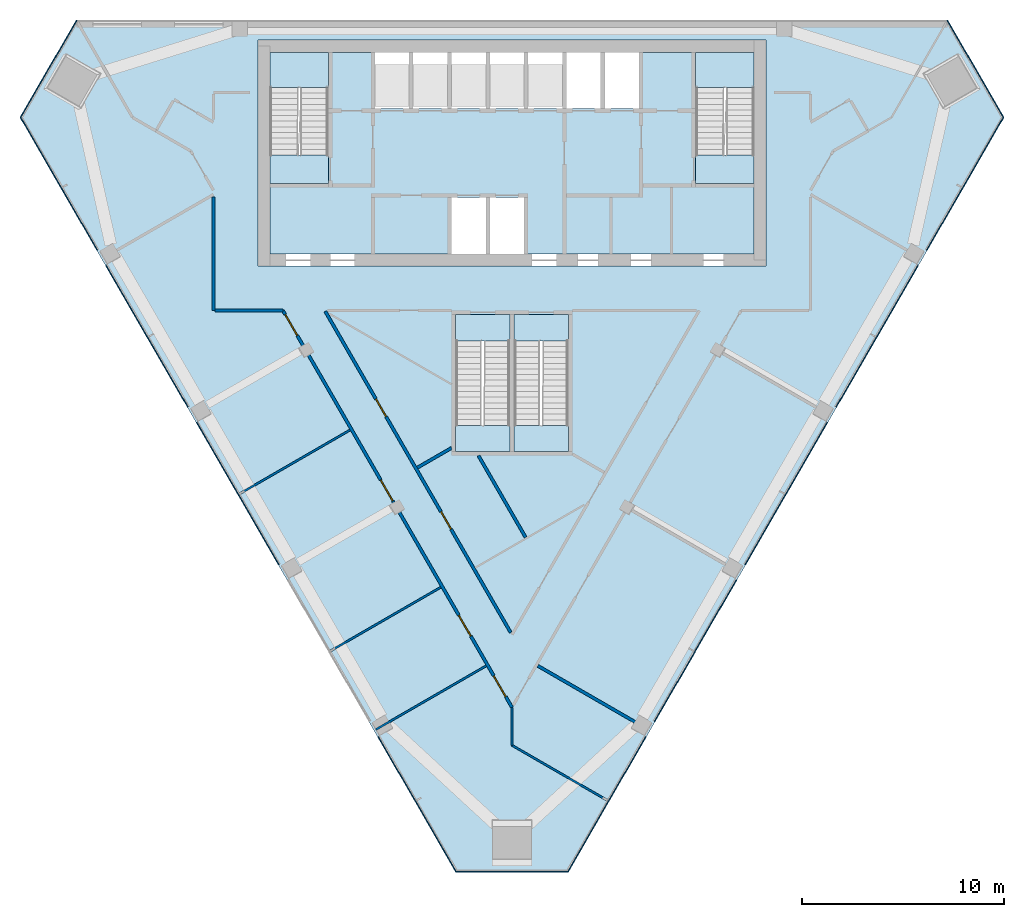
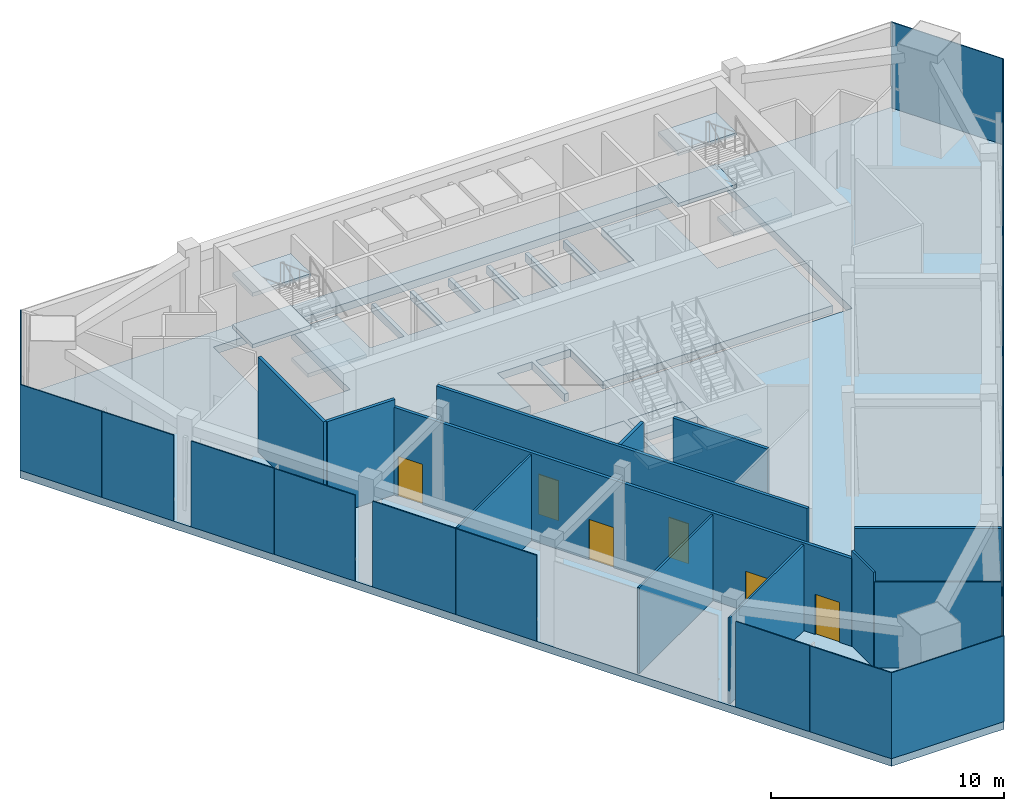
# One storey, part 5 of 10: 21 plates, 12 slabs, 12 walls, 6 doors, 6 openings, 9 elements without a shape of their own.
"""IFC4 building model written with IfcOpenShell, lengths in metres."""

from ifc_helpers import new_model, si_unit, direction, frame, frame_2d, origin, origin_2d, place, context, subcontext, project, spatial, polyline, rectangle, outline, extrude, material, layer, layer_set, type_object, element, fill, aggregate, save


model = new_model("IFC4")

# Units and contexts
model_context = context("Model", 3, precision=1e-05, world=origin(), true_north=direction((0.0, 1.0)))
body_context = subcontext(model_context, "Body", "Model", "MODEL_VIEW")
ifc_project = project(units=[si_unit("LENGTHUNIT", "METRE"), si_unit("AREAUNIT", "SQUARE_METRE"), si_unit("VOLUMEUNIT", "CUBIC_METRE"), si_unit("PLANEANGLEUNIT", "RADIAN"), si_unit("MASSUNIT", "GRAM", prefix="KILO")], contexts=[model_context])

# Site, building, storey
site_placement = place(None, origin())
site = spatial("IfcSite", under=ifc_project, at=site_placement, CompositionType="ELEMENT")
building_placement = place(site_placement, origin())
building = spatial("IfcBuilding", under=site, at=building_placement, Name="Altiplano Prism Tower", CompositionType="ELEMENT")
storey_placement = place(building_placement, frame((0.0, 0.0, 233.800048828125)))
storey = spatial("IfcBuildingStorey", under=building, at=storey_placement, Name="L60", CompositionType="ELEMENT", Elevation=233.800048828125)

# Curtain wall, plate
ifc_material_1 = material(Name="Aluminium and glass", Category="aluminium")
ifc_layer_1 = layer(ifc_material_1, 0.360107421875)
ifc_layer_set_1 = layer_set([ifc_layer_1], Name="Aluminium and glass")
curtain_wall_type = type_object("IfcCurtainWallType", Name="CW3 sky-lobby unitised glazing", PredefinedType="NOTDEFINED", material=ifc_layer_set_1)
curtain_wall_1_placement = place(storey_placement, origin())
curtain_wall_1 = element("IfcCurtainWall", 1, at=curtain_wall_1_placement, inside=storey, type_object=curtain_wall_type, Name="CW3 curtain wall north-west chamfer L60", PredefinedType="NOTDEFINED")
ifc_material_2 = material(Name="Clear glass", Category="glass")
ifc_layer_2 = layer(ifc_material_2, 0.050048828125)
ifc_layer_set_2 = layer_set([ifc_layer_2], Name="Clear glass")
plate_type = type_object("IfcPlateType", Name="CW3 insulated glass unit 50", PredefinedType="CURTAIN_PANEL", material=ifc_layer_set_2)
plate_1_placement = place(storey_placement, frame((62.0224609375, 102.572021484375, 0.0), z_axis=(0.0, 0.0, 1.0), x_axis=(-0.499999864237, -0.866025482167, 0.0)))
plate_1 = element("IfcPlate", 2, at=plate_1_placement, type_object=plate_type, Name="CW3 panel", PredefinedType="CURTAIN_PANEL", context=body_context, shape_type="SweptSolid", body=[
    extrude(rectangle(XDim=5.568603515625, YDim=0.050048828125, at=origin_2d()), origin(), (0.0, 0.0, 1.0), 4.5),
])
aggregate(curtain_wall_1, [plate_1])

# Curtain wall, plates
curtain_wall_2_placement = place(storey_placement, origin())
curtain_wall_2 = element("IfcCurtainWall", 3, at=curtain_wall_2_placement, inside=storey, type_object=curtain_wall_type, Name="CW3 curtain wall south-west face L60", PredefinedType="NOTDEFINED")
plate_2_placement = place(storey_placement, frame((61.640869140625, 98.4267578125, 0.0), z_axis=(0.0, 0.0, 1.0), x_axis=(0.49999999013, -0.866025409483, 0.0)))
plate_2 = element("IfcPlate", 4, at=plate_2_placement, type_object=plate_type, Name="CW3 panel", PredefinedType="CURTAIN_PANEL", context=body_context, shape_type="SweptSolid", body=[
    extrude(rectangle(XDim=4.042236328125, YDim=0.050048828125, at=origin_2d()), origin(), (0.0, 0.0, 1.0), 4.5),
])
plate_3_placement = place(storey_placement, frame((63.54345703125, 95.13134765625, 0.0), z_axis=(0.0, 0.0, 1.0), x_axis=(0.49999999013, -0.866025409483, 0.0)))
plate_3 = element("IfcPlate", 5, at=plate_3_placement, type_object=plate_type, Name="CW3 panel", PredefinedType="CURTAIN_PANEL", context=body_context, shape_type="SweptSolid", body=[
    extrude(rectangle(XDim=3.5478515625, YDim=0.050048828125, at=origin_2d()), origin(), (0.0, 0.0, 1.0), 4.5),
])
plate_4_placement = place(storey_placement, frame((65.89892578125, 91.05126953125, 0.0), z_axis=(0.0, 0.0, 1.0), x_axis=(0.49999999013, -0.866025409483, 0.0)))
plate_4 = element("IfcPlate", 6, at=plate_4_placement, type_object=plate_type, Name="CW3 panel", PredefinedType="CURTAIN_PANEL", context=body_context, shape_type="SweptSolid", body=[
    extrude(rectangle(XDim=4.114501953125, YDim=0.050048828125, at=origin_2d()), origin(), (0.0, 0.0, 1.0), 4.5),
])
plate_5_placement = place(storey_placement, frame((67.931396484375, 87.531005859375, 0.0), z_axis=(0.0, 0.0, 1.0), x_axis=(0.49999999013, -0.866025409483, 0.0)))
plate_5 = element("IfcPlate", 7, at=plate_5_placement, type_object=plate_type, Name="CW3 panel", PredefinedType="CURTAIN_PANEL", context=body_context, shape_type="SweptSolid", body=[
    extrude(rectangle(XDim=3.995361328125, YDim=0.050048828125, at=origin_2d()), origin(), (0.0, 0.0, 1.0), 4.5),
])
plate_6_placement = place(storey_placement, frame((70.39892578125, 83.257080078125, 0.0), z_axis=(0.0, 0.0, 1.0), x_axis=(0.49999999013, -0.866025409483, 0.0)))
plate_6 = element("IfcPlate", 8, at=plate_6_placement, type_object=plate_type, Name="CW3 panel", PredefinedType="CURTAIN_PANEL", context=body_context, shape_type="SweptSolid", body=[
    extrude(rectangle(XDim=4.114501953125, YDim=0.050048828125, at=origin_2d()), origin(), (0.0, 0.0, 1.0), 4.5),
])
plate_7_placement = place(storey_placement, frame((72.431396484375, 79.73681640625, 0.0), z_axis=(0.0, 0.0, 1.0), x_axis=(0.49999999013, -0.866025409483, 0.0)))
plate_7 = element("IfcPlate", 9, at=plate_7_placement, type_object=plate_type, Name="CW3 panel", PredefinedType="CURTAIN_PANEL", context=body_context, shape_type="SweptSolid", body=[
    extrude(rectangle(XDim=3.995361328125, YDim=0.050048828125, at=origin_2d()), origin(), (0.0, 0.0, 1.0), 4.5),
])
plate_8_placement = place(storey_placement, frame((79.287109375, 67.862548828125, 0.0), z_axis=(0.0, 0.0, 1.0), x_axis=(0.49999999013, -0.866025409483, 0.0)))
plate_8 = element("IfcPlate", 10, at=plate_8_placement, type_object=plate_type, Name="CW3 panel", PredefinedType="CURTAIN_PANEL", context=body_context, shape_type="SweptSolid", body=[
    extrude(rectangle(XDim=3.666748046875, YDim=0.050048828125, at=origin_2d()), origin(), (0.0, 0.0, 1.0), 4.5),
])
plate_9_placement = place(storey_placement, frame((81.21923828125, 64.515625, 0.0), z_axis=(0.0, 0.0, 1.0), x_axis=(0.49999999013, -0.866025409483, 0.0)))
plate_9 = element("IfcPlate", 11, at=plate_9_placement, type_object=plate_type, Name="CW3 panel", PredefinedType="CURTAIN_PANEL", context=body_context, shape_type="SweptSolid", body=[
    extrude(rectangle(XDim=4.042236328125, YDim=0.050048828125, at=origin_2d()), origin(), (0.0, 0.0, 1.0), 4.5),
])
aggregate(curtain_wall_2, [plate_2, plate_3, plate_4, plate_5, plate_6, plate_7, plate_8, plate_9])

# Curtain wall, plate
curtain_wall_3_placement = place(storey_placement, origin())
curtain_wall_3 = element("IfcCurtainWall", 12, at=curtain_wall_3_placement, inside=storey, type_object=curtain_wall_type, Name="CW3 curtain wall south chamfer L60", PredefinedType="NOTDEFINED")
plate_10_placement = place(storey_placement, frame((85.0, 62.7734375, 0.0), z_axis=(0.0, 0.0, 1.0), x_axis=(1.0, 0.0, 0.0)))
plate_10 = element("IfcPlate", 13, at=plate_10_placement, type_object=plate_type, Name="CW3 panel", PredefinedType="CURTAIN_PANEL", context=body_context, shape_type="SweptSolid", body=[
    extrude(rectangle(XDim=5.568603515625, YDim=0.050048828125, at=origin_2d()), origin(), (0.0, 0.0, 1.0), 4.5),
])
aggregate(curtain_wall_3, [plate_10])

# Curtain wall, plates
curtain_wall_4_placement = place(storey_placement, origin())
curtain_wall_4 = element("IfcCurtainWall", 14, at=curtain_wall_4_placement, inside=storey, type_object=curtain_wall_type, Name="CW3 curtain wall south-east face L60", PredefinedType="NOTDEFINED")
plate_11_placement = place(storey_placement, frame((88.78076171875, 64.515625, 0.0), z_axis=(0.0, 0.0, 1.0), x_axis=(0.49999999013, 0.866025409483, 0.0)))
plate_11 = element("IfcPlate", 15, at=plate_11_placement, type_object=plate_type, Name="CW3 panel", PredefinedType="CURTAIN_PANEL", context=body_context, shape_type="SweptSolid", body=[
    extrude(rectangle(XDim=4.042236328125, YDim=0.050048828125, at=origin_2d()), origin(), (0.0, 0.0, 1.0), 4.5),
])
plate_12_placement = place(storey_placement, frame((90.712890625, 67.862548828125, 0.0), z_axis=(0.0, 0.0, 1.0), x_axis=(0.49999999013, 0.866025409483, 0.0)))
plate_12 = element("IfcPlate", 16, at=plate_12_placement, type_object=plate_type, Name="CW3 panel", PredefinedType="CURTAIN_PANEL", context=body_context, shape_type="SweptSolid", body=[
    extrude(rectangle(XDim=3.666748046875, YDim=0.050048828125, at=origin_2d()), origin(), (0.0, 0.0, 1.0), 4.5),
])
plate_13_placement = place(storey_placement, frame((93.068603515625, 71.942626953125, 0.0), z_axis=(0.0, 0.0, 1.0), x_axis=(0.49999999013, 0.866025409483, 0.0)))
plate_13 = element("IfcPlate", 17, at=plate_13_placement, type_object=plate_type, Name="CW3 panel", PredefinedType="CURTAIN_PANEL", context=body_context, shape_type="SweptSolid", body=[
    extrude(rectangle(XDim=3.995361328125, YDim=0.050048828125, at=origin_2d()), origin(), (0.0, 0.0, 1.0), 4.5),
])
plate_14_placement = place(storey_placement, frame((95.10107421875, 75.462890625, 0.0), z_axis=(0.0, 0.0, 1.0), x_axis=(0.49999999013, 0.866025409483, 0.0)))
plate_14 = element("IfcPlate", 18, at=plate_14_placement, type_object=plate_type, Name="CW3 panel", PredefinedType="CURTAIN_PANEL", context=body_context, shape_type="SweptSolid", body=[
    extrude(rectangle(XDim=4.114501953125, YDim=0.050048828125, at=origin_2d()), origin(), (0.0, 0.0, 1.0), 4.5),
])
plate_15_placement = place(storey_placement, frame((97.568603515625, 79.73681640625, 0.0), z_axis=(0.0, 0.0, 1.0), x_axis=(0.49999999013, 0.866025409483, 0.0)))
plate_15 = element("IfcPlate", 19, at=plate_15_placement, type_object=plate_type, Name="CW3 panel", PredefinedType="CURTAIN_PANEL", context=body_context, shape_type="SweptSolid", body=[
    extrude(rectangle(XDim=3.995361328125, YDim=0.050048828125, at=origin_2d()), origin(), (0.0, 0.0, 1.0), 4.5),
])
plate_16_placement = place(storey_placement, frame((99.60107421875, 83.257080078125, 0.0), z_axis=(0.0, 0.0, 1.0), x_axis=(0.49999999013, 0.866025409483, 0.0)))
plate_16 = element("IfcPlate", 20, at=plate_16_placement, type_object=plate_type, Name="CW3 panel", PredefinedType="CURTAIN_PANEL", context=body_context, shape_type="SweptSolid", body=[
    extrude(rectangle(XDim=4.114501953125, YDim=0.050048828125, at=origin_2d()), origin(), (0.0, 0.0, 1.0), 4.5),
])
plate_17_placement = place(storey_placement, frame((102.068603515625, 87.531005859375, 0.0), z_axis=(0.0, 0.0, 1.0), x_axis=(0.49999999013, 0.866025409483, 0.0)))
plate_17 = element("IfcPlate", 21, at=plate_17_placement, type_object=plate_type, Name="CW3 panel", PredefinedType="CURTAIN_PANEL", context=body_context, shape_type="SweptSolid", body=[
    extrude(rectangle(XDim=3.995361328125, YDim=0.050048828125, at=origin_2d()), origin(), (0.0, 0.0, 1.0), 4.5),
])
plate_18_placement = place(storey_placement, frame((104.10107421875, 91.05126953125, 0.0), z_axis=(0.0, 0.0, 1.0), x_axis=(0.49999999013, 0.866025409483, 0.0)))
plate_18 = element("IfcPlate", 22, at=plate_18_placement, type_object=plate_type, Name="CW3 panel", PredefinedType="CURTAIN_PANEL", context=body_context, shape_type="SweptSolid", body=[
    extrude(rectangle(XDim=4.114501953125, YDim=0.050048828125, at=origin_2d()), origin(), (0.0, 0.0, 1.0), 4.5),
])
plate_19_placement = place(storey_placement, frame((106.45654296875, 95.13134765625, 0.0), z_axis=(0.0, 0.0, 1.0), x_axis=(0.49999999013, 0.866025409483, 0.0)))
plate_19 = element("IfcPlate", 23, at=plate_19_placement, type_object=plate_type, Name="CW3 panel", PredefinedType="CURTAIN_PANEL", context=body_context, shape_type="SweptSolid", body=[
    extrude(rectangle(XDim=3.5478515625, YDim=0.050048828125, at=origin_2d()), origin(), (0.0, 0.0, 1.0), 4.5),
])
plate_20_placement = place(storey_placement, frame((108.359130859375, 98.4267578125, 0.0), z_axis=(0.0, 0.0, 1.0), x_axis=(0.49999999013, 0.866025409483, 0.0)))
plate_20 = element("IfcPlate", 24, at=plate_20_placement, type_object=plate_type, Name="CW3 panel", PredefinedType="CURTAIN_PANEL", context=body_context, shape_type="SweptSolid", body=[
    extrude(rectangle(XDim=4.042236328125, YDim=0.050048828125, at=origin_2d()), origin(), (0.0, 0.0, 1.0), 4.5),
])
aggregate(curtain_wall_4, [plate_11, plate_12, plate_13, plate_14, plate_15, plate_16, plate_17, plate_18, plate_19, plate_20])

# Curtain wall, plate
curtain_wall_5_placement = place(storey_placement, origin())
curtain_wall_5 = element("IfcCurtainWall", 25, at=curtain_wall_5_placement, inside=storey, type_object=curtain_wall_type, Name="CW3 curtain wall north-east chamfer L60", PredefinedType="NOTDEFINED")
plate_21_placement = place(storey_placement, frame((107.9775390625, 102.572021484375, 0.0), z_axis=(0.0, 0.0, 1.0), x_axis=(-0.499999864237, 0.866025482167, 0.0)))
plate_21 = element("IfcPlate", 26, at=plate_21_placement, type_object=plate_type, Name="CW3 panel", PredefinedType="CURTAIN_PANEL", context=body_context, shape_type="SweptSolid", body=[
    extrude(rectangle(XDim=5.568603515625, YDim=0.050048828125, at=origin_2d()), origin(), (0.0, 0.0, 1.0), 4.5),
])
aggregate(curtain_wall_5, [plate_21])

# Slabs
ifc_material_3 = material(Name="Concrete C40/50", Category="concrete")
ifc_layer_3 = layer(ifc_material_3, 0.39990234375)
ifc_layer_set_3 = layer_set([ifc_layer_3], Name="Concrete C40/50")
slab_type_1 = type_object("IfcSlabType", Name="Core floor slab 400", PredefinedType="FLOOR", material=ifc_layer_set_3)
slab_1_placement = place(storey_placement, frame((0.0, 0.0, -0.400146484375)))
element("IfcSlab", 27, at=slab_1_placement, inside=storey, type_object=slab_type_1, Name="Core floor slab L60", PredefinedType="FLOOR", context=body_context, shape_type="SweptSolid", body=[
    extrude(outline(polyline([(97.0, 98.31005859375), (94.10009765625, 98.31005859375), (94.10009765625, 103.39990234375), (91.300048828125, 103.39990234375), (91.300048828125, 100.60009765625), (89.60009765625, 100.60009765625), (89.60009765625, 103.39990234375), (89.39990234375, 103.39990234375), (89.39990234375, 100.60009765625), (87.699951171875, 100.60009765625), (87.699951171875, 103.39990234375), (87.5, 103.39990234375), (87.5, 100.60009765625), (85.800048828125, 100.60009765625), (85.800048828125, 103.39990234375), (85.60009765625, 103.39990234375), (85.60009765625, 100.60009765625), (83.89990234375, 100.60009765625), (83.89990234375, 103.39990234375), (83.699951171875, 103.39990234375), (83.699951171875, 100.60009765625), (82.0, 100.60009765625), (82.0, 103.39990234375), (81.800048828125, 103.39990234375), (81.800048828125, 100.60009765625), (80.10009765625, 100.60009765625), (80.10009765625, 103.39990234375), (79.89990234375, 103.39990234375), (79.89990234375, 100.60009765625), (78.199951171875, 100.60009765625), (78.199951171875, 103.39990234375), (75.89990234375, 103.39990234375), (75.89990234375, 98.31005859375), (73.0, 98.31005859375), (73.0, 93.39990234375), (82.0, 93.39990234375), (82.0, 96.199951171875), (83.699951171875, 96.199951171875), (83.699951171875, 93.39990234375), (83.89990234375, 93.39990234375), (83.89990234375, 96.199951171875), (85.60009765625, 96.199951171875), (85.60009765625, 93.39990234375), (97.0, 93.39990234375), (97.0, 98.31005859375)])), origin(), (0.0, 0.0, 1.0), 0.400146484375),
])
slab_2_placement = place(storey_placement, frame((0.0, 0.0, -0.400146484375)))
element("IfcSlab", 28, at=slab_2_placement, inside=storey, type_object=slab_type_1, Name="Stair 3A landing slab L60", PredefinedType="FLOOR", context=body_context, shape_type="SweptSolid", body=[
    extrude(outline(polyline([(82.199951171875, 89.096923828125), (84.89990234375, 89.096923828125), (84.89990234375, 90.39990234375), (82.199951171875, 90.39990234375), (82.199951171875, 89.096923828125)])), origin(), (0.0, 0.0, 1.0), 0.400146484375),
])
slab_3_placement = place(storey_placement, frame((0.0, 0.0, -0.400146484375)))
element("IfcSlab", 29, at=slab_3_placement, inside=storey, type_object=slab_type_1, Name="Stair 3B landing slab L60", PredefinedType="FLOOR", context=body_context, shape_type="SweptSolid", body=[
    extrude(outline(polyline([(85.10009765625, 89.096923828125), (87.800048828125, 89.096923828125), (87.800048828125, 90.39990234375), (85.10009765625, 90.39990234375), (85.10009765625, 89.096923828125)])), origin(), (0.0, 0.0, 1.0), 0.400146484375),
])
ifc_layer_4 = layer(ifc_material_3, 0.39990234375)
ifc_layer_set_4 = layer_set([ifc_layer_4], Name="Concrete C40/50")
slab_type_2 = type_object("IfcSlabType", Name="Post-tensioned flat slab 400", PredefinedType="FLOOR", material=ifc_layer_set_4)
slab_4_placement = place(storey_placement, frame((0.0, 0.0, -0.400146484375)))
element("IfcSlab", 30, at=slab_4_placement, inside=storey, type_object=slab_type_2, Name="Floor slab L60", PredefinedType="FLOOR", context=body_context, shape_type="SweptSolid", body=[
    extrude(outline(polyline([(82.210693359375, 62.74853515625), (60.606201171875, 100.1689453125), (63.395263671875, 105.0), (106.604736328125, 105.0), (109.393798828125, 100.1689453125), (87.789306640625, 62.74853515625), (82.210693359375, 62.74853515625)]), holes=[polyline([(72.39990234375, 104.0), (72.39990234375, 92.800048828125), (97.60009765625, 92.800048828125), (97.60009765625, 104.0), (72.39990234375, 104.0)]), polyline([(84.89990234375, 90.39990234375), (82.199951171875, 90.39990234375), (82.199951171875, 83.60009765625), (84.89990234375, 83.60009765625), (84.89990234375, 90.39990234375)]), polyline([(87.800048828125, 83.60009765625), (87.800048828125, 90.39990234375), (85.10009765625, 90.39990234375), (85.10009765625, 83.60009765625), (87.800048828125, 83.60009765625)])]), origin(), (0.0, 0.0, 1.0), 0.400146484375),
])

# Stair, slabs
stair_type_1 = type_object("IfcStairType", Name="Exit stair 1400", PredefinedType="HALF_TURN_STAIR", material=ifc_material_3)
stair_1_placement = place(storey_placement, origin())
stair_1 = element("IfcStair", 31, at=stair_1_placement, inside=storey, type_object=stair_type_1, Name="L60 Exit Stair 1", PredefinedType="HALF_TURN_STAIR")
ifc_layer_5 = layer(ifc_material_3, 0.199951171875)
ifc_layer_set_5 = layer_set([ifc_layer_5], Name="Concrete C40/50")
slab_type_3 = type_object("IfcSlabType", Name="Stair landing 200", PredefinedType="LANDING", material=ifc_layer_set_5)
slab_5_placement = place(storey_placement, frame((0.0, 0.0, 1.14990234375)))
slab_5 = element("IfcSlab", 32, at=slab_5_placement, type_object=slab_type_3, Name="ST1 landing 1", PredefinedType="LANDING", context=body_context, shape_type="SweptSolid", body=[
    extrude(outline(polyline([(75.89990234375, 101.656982421875), (75.89990234375, 103.39990234375), (73.0, 103.39990234375), (73.0, 101.656982421875), (75.89990234375, 101.656982421875)])), origin(), (0.0, 0.0, 1.0), 0.199951171875),
])
slab_6_placement = place(storey_placement, frame((0.0, 0.0, 2.5)))
slab_6 = element("IfcSlab", 33, at=slab_6_placement, type_object=slab_type_3, Name="ST1 landing 2", PredefinedType="LANDING", context=body_context, shape_type="SweptSolid", body=[
    extrude(outline(polyline([(75.89990234375, 96.89990234375), (75.89990234375, 98.302978515625), (73.0, 98.302978515625), (73.0, 96.89990234375), (75.89990234375, 96.89990234375)])), origin(), (0.0, 0.0, 1.0), 0.199951171875),
])
slab_7_placement = place(storey_placement, frame((0.0, 0.0, 3.849853515625)))
slab_7 = element("IfcSlab", 34, at=slab_7_placement, type_object=slab_type_3, Name="ST1 landing 3", PredefinedType="LANDING", context=body_context, shape_type="SweptSolid", body=[
    extrude(outline(polyline([(75.89990234375, 101.656982421875), (75.89990234375, 103.39990234375), (73.0, 103.39990234375), (73.0, 101.656982421875), (75.89990234375, 101.656982421875)])), origin(), (0.0, 0.0, 1.0), 0.2001953125),
])
aggregate(stair_1, [slab_5, slab_6, slab_7])

stair_2_placement = place(storey_placement, origin())
stair_2 = element("IfcStair", 35, at=stair_2_placement, inside=storey, type_object=stair_type_1, Name="L60 Exit Stair 2", PredefinedType="HALF_TURN_STAIR")
slab_8_placement = place(storey_placement, frame((0.0, 0.0, 1.14990234375)))
slab_8 = element("IfcSlab", 36, at=slab_8_placement, type_object=slab_type_3, Name="ST2 landing 1", PredefinedType="LANDING", context=body_context, shape_type="SweptSolid", body=[
    extrude(outline(polyline([(97.0, 101.656982421875), (97.0, 103.39990234375), (94.10009765625, 103.39990234375), (94.10009765625, 101.656982421875), (97.0, 101.656982421875)])), origin(), (0.0, 0.0, 1.0), 0.199951171875),
])
slab_9_placement = place(storey_placement, frame((0.0, 0.0, 2.5)))
slab_9 = element("IfcSlab", 37, at=slab_9_placement, type_object=slab_type_3, Name="ST2 landing 2", PredefinedType="LANDING", context=body_context, shape_type="SweptSolid", body=[
    extrude(outline(polyline([(97.0, 96.89990234375), (97.0, 98.302978515625), (94.10009765625, 98.302978515625), (94.10009765625, 96.89990234375), (97.0, 96.89990234375)])), origin(), (0.0, 0.0, 1.0), 0.199951171875),
])
slab_10_placement = place(storey_placement, frame((0.0, 0.0, 3.849853515625)))
slab_10 = element("IfcSlab", 38, at=slab_10_placement, type_object=slab_type_3, Name="ST2 landing 3", PredefinedType="LANDING", context=body_context, shape_type="SweptSolid", body=[
    extrude(outline(polyline([(97.0, 101.656982421875), (97.0, 103.39990234375), (94.10009765625, 103.39990234375), (94.10009765625, 101.656982421875), (97.0, 101.656982421875)])), origin(), (0.0, 0.0, 1.0), 0.2001953125),
])
aggregate(stair_2, [slab_8, slab_9, slab_10])

# Stair, slab
stair_type_2 = type_object("IfcStairType", Name="Exit stair 1300", PredefinedType="HALF_TURN_STAIR", material=ifc_material_3)
stair_3_placement = place(storey_placement, origin())
stair_3 = element("IfcStair", 39, at=stair_3_placement, inside=storey, type_object=stair_type_2, Name="L60 Exit Stair 3A", PredefinedType="HALF_TURN_STAIR")
slab_11_placement = place(storey_placement, frame((0.0, 0.0, 2.5)))
slab_11 = element("IfcSlab", 40, at=slab_11_placement, type_object=slab_type_3, Name="ST3A landing 1", PredefinedType="LANDING", context=body_context, shape_type="SweptSolid", body=[
    extrude(outline(polyline([(82.199951171875, 84.903076171875), (82.199951171875, 83.60009765625), (84.89990234375, 83.60009765625), (84.89990234375, 84.903076171875), (82.199951171875, 84.903076171875)])), origin(), (0.0, 0.0, 1.0), 0.199951171875),
])
aggregate(stair_3, [slab_11])

stair_4_placement = place(storey_placement, origin())
stair_4 = element("IfcStair", 41, at=stair_4_placement, inside=storey, type_object=stair_type_2, Name="L60 Exit Stair 3B", PredefinedType="HALF_TURN_STAIR")
slab_12_placement = place(storey_placement, frame((0.0, 0.0, 2.5)))
slab_12 = element("IfcSlab", 42, at=slab_12_placement, type_object=slab_type_3, Name="ST3B landing 1", PredefinedType="LANDING", context=body_context, shape_type="SweptSolid", body=[
    extrude(outline(polyline([(85.10009765625, 84.903076171875), (85.10009765625, 83.60009765625), (87.800048828125, 83.60009765625), (87.800048828125, 84.903076171875), (85.10009765625, 84.903076171875)])), origin(), (0.0, 0.0, 1.0), 0.199951171875),
])
aggregate(stair_4, [slab_12])

# Walls
ifc_material_4 = material(Name="Plasterboard on steel stud", Category="steel")
ifc_layer_6 = layer(ifc_material_4, 0.10009765625)
ifc_layer_set_6 = layer_set([ifc_layer_6], Name="Plasterboard on steel stud")
wall_type_1 = type_object("IfcWallType", Name="Partition 100 wet", PredefinedType="PARTITIONING", material=ifc_layer_set_6)
for number, where, z_axis, x_axis, name in (
    (43, (71.4951171875, 81.5087890625, 0.0), (0.0, 0.0, 1.0), (0.866032601554, 0.49998753289, 0.0), "Partition P03 L60 028"),
    (44, (75.9951171875, 73.71435546875, 0.0), (0.0, 0.0, 1.0), (0.866015887322, 0.500016482634, 0.0), "Partition P03 L60 029"),
    (45, (78.2451171875, 69.8173828125, 0.0), (0.0, 0.0, 1.0), (0.866015887322, 0.500016482634, 0.0), "Partition P03 L60 030"),
):
    element("IfcWall", number, at=place(storey_placement, frame(where, z_axis=z_axis, x_axis=x_axis)), inside=storey, type_object=wall_type_1, Name=name, PredefinedType="PARTITIONING", context=body_context, shape_type="SweptSolid", body=[
        extrude(rectangle(XDim=6.324951171875, YDim=0.10009765625, at=frame_2d((3.16259765625, 0.0))), origin(), (0.0, 0.0, 1.0), 4.5),
    ])
wall_1_placement = place(storey_placement, frame((89.728759765625, 66.307861328125, 0.0), z_axis=(0.0, 0.0, 1.0), x_axis=(-0.866019544478, 0.500010148479, 0.0)))
element("IfcWall", 46, at=wall_1_placement, inside=storey, type_object=wall_type_1, Name="Partition P03 L60 031", PredefinedType="PARTITIONING", context=body_context, shape_type="SweptSolid", body=[
    extrude(rectangle(XDim=5.46044921875, YDim=0.10009765625, at=frame_2d((2.730224609375, 0.0))), origin(), (0.0, 0.0, 1.0), 4.5),
])
wall_2_placement = place(storey_placement, frame((85.0, 69.0380859375, 0.0), z_axis=(0.0, 0.0, 1.0), x_axis=(0.0, 1.0, 0.0)))
element("IfcWall", 47, at=wall_2_placement, inside=storey, type_object=wall_type_1, Name="Partition P03 L60 032", PredefinedType="PARTITIONING", context=body_context, shape_type="SweptSolid", body=[
    extrude(rectangle(XDim=1.87939453125, YDim=0.10009765625, at=frame_2d((0.939697265625, 0.0))), origin(), (0.0, 0.0, 1.0), 5.0),
])
ifc_layer_7 = layer(ifc_material_4, 0.14990234375)
ifc_layer_set_7 = layer_set([ifc_layer_7], Name="Plasterboard on steel stud")
wall_type_2 = type_object("IfcWallType", Name="Partition 150 corridor", PredefinedType="PARTITIONING", material=ifc_layer_set_7)
wall_3_placement = place(storey_placement, frame((70.199951171875, 96.219482421875, 0.0), z_axis=(0.0, 0.0, 1.0), x_axis=(0.0, -1.0, 0.0)))
element("IfcWall", 48, at=wall_3_placement, inside=storey, type_object=wall_type_2, Name="Partition P06 L60 004", PredefinedType="PARTITIONING", context=body_context, shape_type="SweptSolid", body=[
    extrude(rectangle(XDim=5.619384765625, YDim=0.14990234375, at=frame_2d((2.8095703125, 0.0))), origin(), (0.0, 0.0, 1.0), 5.0),
])
wall_4_placement = place(storey_placement, frame((70.27490234375, 90.60009765625, 0.0), z_axis=(0.0, 0.0, 1.0), x_axis=(1.0, 0.0, 0.0)))
element("IfcWall", 49, at=wall_4_placement, inside=storey, type_object=wall_type_2, Name="Partition P06 L60 005", PredefinedType="PARTITIONING", context=body_context, shape_type="SweptSolid", body=[
    extrude(rectangle(XDim=3.361328125, YDim=0.14990234375, at=frame_2d((1.6806640625, 0.0))), origin(), (0.0, 0.0, 1.0), 5.0),
])

# Wall, openings, doors
wall_5_placement = place(storey_placement, frame((73.63623046875, 90.60009765625, 0.0), z_axis=(0.0, 0.0, 1.0), x_axis=(0.500000171588, -0.866025304718, 0.0)))
wall_5 = element("IfcWall", 50, at=wall_5_placement, inside=storey, type_object=wall_type_2, Name="Partition P06 L60 006", PredefinedType="PARTITIONING", context=body_context, shape_type="SweptSolid", body=[
    extrude(rectangle(XDim=22.7275390625, YDim=0.14990234375, at=frame_2d((11.36376953125, 0.0))), origin(), (0.0, 0.0, 1.0), 4.599853515625),
])
opening_1_placement = place(wall_5_placement, frame((0.237060546875, 0.0, 0.0)))
opening_1 = element("IfcOpeningElement", 51, at=opening_1_placement, cuts=wall_5, Name="Opening D1976", PredefinedType="OPENING", context=body_context, shape_type="SweptSolid", body=[
    extrude(rectangle(XDim=1.199951171875, YDim=2.10009765625, at=frame_2d((0.60009765625, 1.050048828125))), frame((0.0, 0.08544921875, 0.0), z_axis=(0.0, -1.0, 0.0), x_axis=(1.0, 0.0, 0.0)), (0.0, 0.0, 1.0), 0.1708984375),
])
opening_2_placement = place(wall_5_placement, frame((9.702880859375, 0.0, 0.0)))
opening_2 = element("IfcOpeningElement", 52, at=opening_2_placement, cuts=wall_5, Name="Opening D1977", PredefinedType="OPENING", context=body_context, shape_type="SweptSolid", body=[
    extrude(rectangle(XDim=1.199951171875, YDim=2.10009765625, at=frame_2d((0.60009765625, 1.050048828125))), frame((0.0, 0.08544921875, 0.0), z_axis=(0.0, -1.0, 0.0), x_axis=(1.0, 0.0, 0.0)), (0.0, 0.0, 1.0), 0.1708984375),
])
opening_3_placement = place(wall_5_placement, frame((17.452880859375, 0.0, 0.0)))
opening_3 = element("IfcOpeningElement", 53, at=opening_3_placement, cuts=wall_5, Name="Opening D1978", PredefinedType="OPENING", context=body_context, shape_type="SweptSolid", body=[
    extrude(rectangle(XDim=1.199951171875, YDim=2.10009765625, at=frame_2d((0.60009765625, 1.050048828125))), frame((0.0, 0.08544921875, 0.0), z_axis=(0.0, -1.0, 0.0), x_axis=(1.0, 0.0, 0.0)), (0.0, 0.0, 1.0), 0.1708984375),
])
opening_4_placement = place(wall_5_placement, frame((20.9169921875, 0.0, 0.0)))
opening_4 = element("IfcOpeningElement", 54, at=opening_4_placement, cuts=wall_5, Name="Opening D1979", PredefinedType="OPENING", context=body_context, shape_type="SweptSolid", body=[
    extrude(rectangle(XDim=1.199951171875, YDim=2.10009765625, at=frame_2d((0.60009765625, 1.050048828125))), frame((0.0, 0.08544921875, 0.0), z_axis=(0.0, -1.0, 0.0), x_axis=(1.0, 0.0, 0.0)), (0.0, 0.0, 1.0), 0.1708984375),
])
ifc_material_5 = material(Name="Timber", Category="wood")
door_type_1 = type_object("IfcDoorType", Name="Shared room door 1200 x 2100", OperationType="NOTDEFINED", PredefinedType="NOTDEFINED", material=ifc_material_5)
door_1_placement = place(opening_1_placement, origin())
door_1 = element("IfcDoor", 55, at=door_1_placement, inside=storey, type_object=door_type_1, Name="Door D1976", OperationType="SINGLE_SWING_LEFT", OverallHeight=2.10009765625, OverallWidth=1.199951171875, PredefinedType="NOTDEFINED", context=body_context, shape_type="SweptSolid", body=[
    extrude(rectangle(XDim=1.199951171875, YDim=2.10009765625, at=frame_2d((0.60009765625, 1.050048828125))), frame((0.0, 0.02490234375, 0.0), z_axis=(0.0, -1.0, 0.0), x_axis=(1.0, 0.0, 0.0)), (0.0, 0.0, 1.0), 0.050048828125),
])
fill(opening_1, door_1)
door_2_placement = place(opening_2_placement, origin())
door_2 = element("IfcDoor", 56, at=door_2_placement, inside=storey, type_object=door_type_1, Name="Door D1977", OperationType="SINGLE_SWING_RIGHT", OverallHeight=2.10009765625, OverallWidth=1.199951171875, PredefinedType="NOTDEFINED", context=body_context, shape_type="SweptSolid", body=[
    extrude(rectangle(XDim=1.199951171875, YDim=2.10009765625, at=frame_2d((0.60009765625, 1.050048828125))), frame((0.0, 0.02490234375, 0.0), z_axis=(0.0, -1.0, 0.0), x_axis=(1.0, 0.0, 0.0)), (0.0, 0.0, 1.0), 0.050048828125),
])
fill(opening_2, door_2)
door_3_placement = place(opening_3_placement, origin())
door_3 = element("IfcDoor", 57, at=door_3_placement, inside=storey, type_object=door_type_1, Name="Door D1978", OperationType="SINGLE_SWING_LEFT", OverallHeight=2.10009765625, OverallWidth=1.199951171875, PredefinedType="NOTDEFINED", context=body_context, shape_type="SweptSolid", body=[
    extrude(rectangle(XDim=1.199951171875, YDim=2.10009765625, at=frame_2d((0.60009765625, 1.050048828125))), frame((0.0, 0.02490234375, 0.0), z_axis=(0.0, -1.0, 0.0), x_axis=(1.0, 0.0, 0.0)), (0.0, 0.0, 1.0), 0.050048828125),
])
fill(opening_3, door_3)
door_4_placement = place(opening_4_placement, origin())
door_4 = element("IfcDoor", 58, at=door_4_placement, inside=storey, type_object=door_type_1, Name="Door D1979", OperationType="SINGLE_SWING_RIGHT", OverallHeight=2.10009765625, OverallWidth=1.199951171875, PredefinedType="NOTDEFINED", context=body_context, shape_type="SweptSolid", body=[
    extrude(rectangle(XDim=1.199951171875, YDim=2.10009765625, at=frame_2d((0.60009765625, 1.050048828125))), frame((0.0, 0.02490234375, 0.0), z_axis=(0.0, -1.0, 0.0), x_axis=(1.0, 0.0, 0.0)), (0.0, 0.0, 1.0), 0.050048828125),
])
fill(opening_4, door_4)

wall_6_placement = place(storey_placement, frame((84.93505859375, 74.6298828125, 0.0), z_axis=(0.0, 0.0, 1.0), x_axis=(-0.499956559012, 0.866050482998, 0.0)))
wall_6 = element("IfcWall", 59, at=wall_6_placement, inside=storey, type_object=wall_type_2, Name="Partition P06 L60 022", PredefinedType="PARTITIONING", context=body_context, shape_type="SweptSolid", body=[
    extrude(rectangle(XDim=18.385986328125, YDim=0.14990234375, at=frame_2d((9.19287109375, 0.0))), origin(), (0.0, 0.0, 1.0), 5.0),
])
opening_5_placement = place(wall_6_placement, frame((12.364013671875, 0.0, 0.0)))
opening_5 = element("IfcOpeningElement", 60, at=opening_5_placement, cuts=wall_6, Name="Opening D1988", PredefinedType="OPENING", context=body_context, shape_type="SweptSolid", body=[
    extrude(rectangle(XDim=1.0, YDim=2.10009765625, at=frame_2d((0.5, 1.050048828125))), frame((0.0, 0.08544921875, 0.0), z_axis=(0.0, -1.0, 0.0), x_axis=(1.0, 0.0, 0.0)), (0.0, 0.0, 1.0), 0.1708984375),
])
opening_6_placement = place(wall_6_placement, frame((5.916015625, 0.0, 0.0)))
opening_6 = element("IfcOpeningElement", 61, at=opening_6_placement, cuts=wall_6, Name="Opening D1989", PredefinedType="OPENING", context=body_context, shape_type="SweptSolid", body=[
    extrude(rectangle(XDim=1.0, YDim=2.10009765625, at=frame_2d((0.5, 1.050048828125))), frame((0.0, 0.08544921875, 0.0), z_axis=(0.0, -1.0, 0.0), x_axis=(1.0, 0.0, 0.0)), (0.0, 0.0, 1.0), 0.1708984375),
])
door_type_2 = type_object("IfcDoorType", Name="Store door 1000 x 2100", OperationType="NOTDEFINED", PredefinedType="NOTDEFINED", material=ifc_material_5)
door_5_placement = place(opening_5_placement, origin())
door_5 = element("IfcDoor", 62, at=door_5_placement, inside=storey, type_object=door_type_2, Name="Door D1988", OperationType="SINGLE_SWING_RIGHT", OverallHeight=2.10009765625, OverallWidth=1.0, PredefinedType="NOTDEFINED", context=body_context, shape_type="SweptSolid", body=[
    extrude(rectangle(XDim=1.0, YDim=2.10009765625, at=frame_2d((0.5, 1.050048828125))), frame((0.0, 0.02490234375, 0.0), z_axis=(0.0, -1.0, 0.0), x_axis=(1.0, 0.0, 0.0)), (0.0, 0.0, 1.0), 0.050048828125),
])
fill(opening_5, door_5)
door_6_placement = place(opening_6_placement, origin())
door_6 = element("IfcDoor", 63, at=door_6_placement, inside=storey, type_object=door_type_2, Name="Door D1989", OperationType="SINGLE_SWING_RIGHT", OverallHeight=2.10009765625, OverallWidth=1.0, PredefinedType="NOTDEFINED", context=body_context, shape_type="SweptSolid", body=[
    extrude(rectangle(XDim=1.0, YDim=2.10009765625, at=frame_2d((0.5, 1.050048828125))), frame((0.0, 0.02490234375, 0.0), z_axis=(0.0, -1.0, 0.0), x_axis=(1.0, 0.0, 0.0)), (0.0, 0.0, 1.0), 0.050048828125),
])
fill(opening_6, door_6)

# Walls
ifc_layer_8 = layer(ifc_material_4, 0.14990234375)
ifc_layer_set_8 = layer_set([ifc_layer_8], Name="Plasterboard on steel stud")
wall_type_3 = type_object("IfcWallType", Name="Partition 150 party", PredefinedType="PARTITIONING", material=ifc_layer_set_8)
wall_7_placement = place(storey_placement, frame((91.7548828125, 69.8173828125, 0.0), z_axis=(0.0, 0.0, 1.0), x_axis=(-0.866015887322, 0.500016482634, 0.0)))
element("IfcWall", 64, at=wall_7_placement, inside=storey, type_object=wall_type_3, Name="Partition P01 L60 033", PredefinedType="PARTITIONING", context=body_context, shape_type="SweptSolid", body=[
    extrude(rectangle(XDim=6.324951171875, YDim=0.14990234375, at=frame_2d((3.16259765625, 0.0))), origin(), (0.0, 0.0, 1.0), 4.5),
])
wall_8_placement = place(storey_placement, frame((80.30419921875, 82.8017578125, 0.0), z_axis=(0.0, 0.0, 1.0), x_axis=(0.866040248701, 0.499974286969, 0.0)))
element("IfcWall", 65, at=wall_8_placement, inside=storey, type_object=wall_type_3, Name="Partition P01 L60 040", PredefinedType="PARTITIONING", context=body_context, shape_type="SweptSolid", body=[
    extrude(rectangle(XDim=1.9580078125, YDim=0.14990234375, at=frame_2d((0.97900390625, 0.0))), origin(), (0.0, 0.0, 1.0), 5.0),
])
wall_9_placement = place(storey_placement, frame((85.677978515625, 79.34521484375, 0.0), z_axis=(0.0, 0.0, 1.0), x_axis=(-0.500014342139, 0.866017123188, 0.0)))
element("IfcWall", 66, at=wall_9_placement, inside=storey, type_object=wall_type_3, Name="Partition P01 L60 041", PredefinedType="PARTITIONING", context=body_context, shape_type="SweptSolid", body=[
    extrude(rectangle(XDim=4.681884765625, YDim=0.14990234375, at=frame_2d((2.3408203125, 0.0))), origin(), (0.0, 0.0, 1.0), 5.0),
])

save(model, "model.ifc")
